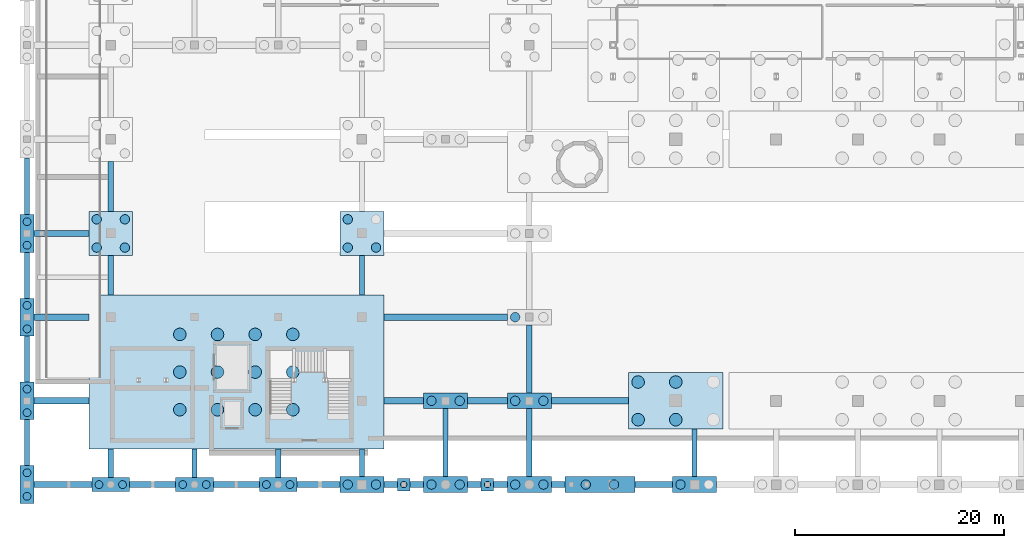
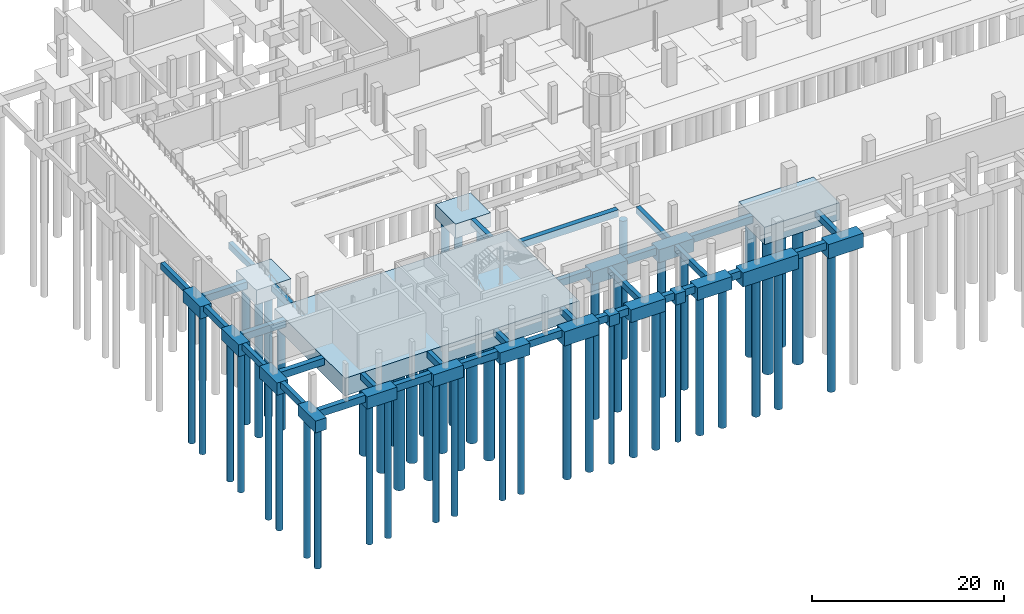
# One storey, part 1 of 32: 53 piles, 52 footings.
"""IFC4 building model written with IfcOpenShell, lengths in metres."""

from ifc_helpers import new_model, si_unit, derived_unit, direction, frame, origin, origin_2d, place, context, subcontext, project, spatial, rectangle, circle, extrude, material, material_profile, profile_set, type_object, element, save


model = new_model("IFC4")

# Units and contexts
model_context = context("Model", 3, precision=1e-05, world=origin(), true_north=direction((0.0, 1.0)))
body_context = subcontext(model_context, "Body", "Model", "MODEL_VIEW")
ifc_project = project(units=[si_unit("LENGTHUNIT", "METRE"), si_unit("AREAUNIT", "SQUARE_METRE"), si_unit("VOLUMEUNIT", "CUBIC_METRE"), si_unit("PLANEANGLEUNIT", "RADIAN"), si_unit("MASSUNIT", "GRAM", prefix="KILO"), derived_unit("THERMALTRANSMITTANCEUNIT", [(si_unit("POWERUNIT", "WATT"), 1), (si_unit("LENGTHUNIT", "METRE"), -2), (si_unit("THERMODYNAMICTEMPERATUREUNIT", "KELVIN"), -1)])], contexts=[model_context])

# Site, building, storey
site_placement = place(None, origin())
site = spatial("IfcSite", under=ifc_project, at=site_placement, CompositionType="ELEMENT")
building_placement = place(site_placement, origin())
building = spatial("IfcBuilding", under=site, at=building_placement, Name="Nallur Shell Playhouse", CompositionType="ELEMENT")
storey_placement = place(building_placement, frame((0.0, 0.0, -4.800048828125)))
storey = spatial("IfcBuildingStorey", under=building, at=storey_placement, Name="B1", CompositionType="ELEMENT", Elevation=-4.800048828125)

# Footings
ifc_material = material(Name="Concrete M35", Category="concrete")
footing_type_1 = type_object("IfcFootingType", Name="FT-PC-120x120x135", PredefinedType="PILE_CAP", material=ifc_material)
footing_1_placement = place(storey_placement, frame((44.0, 8.0, -1.35009765625), z_axis=(0.0, 0.0, 1.0), x_axis=(1.0, 0.0, 0.0)))
element("IfcFooting", 1, at=footing_1_placement, inside=storey, type_object=footing_type_1, Name="Pile cap PC-090", PredefinedType="PILE_CAP", context=body_context, shape_type="SweptSolid", body=[
    extrude(rectangle(XDim=1.199951171875, YDim=1.199951171875, at=origin_2d()), origin(), (0.0, 0.0, 1.0), 1.35009765625),
])
footing_type_2 = type_object("IfcFootingType", Name="FT-PC-120x120x140", PredefinedType="PILE_CAP", material=ifc_material)
footing_2_placement = place(storey_placement, frame((52.0, 8.0, -1.39990234375), z_axis=(0.0, 0.0, 1.0), x_axis=(1.0, 0.0, 0.0)))
element("IfcFooting", 2, at=footing_2_placement, inside=storey, type_object=footing_type_2, Name="Pile cap PC-091", PredefinedType="PILE_CAP", context=body_context, shape_type="SweptSolid", body=[
    extrude(rectangle(XDim=1.199951171875, YDim=1.199951171875, at=origin_2d()), origin(), (0.0, 0.0, 1.0), 1.39990234375),
])
footing_type_3 = type_object("IfcFootingType", Name="FT-PC-135x360x150", PredefinedType="PILE_CAP", material=ifc_material)
for number, where, z_axis, x_axis, name in (
    (3, (8.0, 8.0, -1.5), (0.0, 0.0, 1.0), (1.0, 0.0, 0.0), "Pile cap PC-001"),
    (4, (8.0, 24.0, -1.5), (0.0, 0.0, 1.0), (1.0, 0.0, 0.0), "Pile cap PC-003"),
):
    element("IfcFooting", number, at=place(storey_placement, frame(where, z_axis=z_axis, x_axis=x_axis)), inside=storey, type_object=footing_type_3, Name=name, PredefinedType="PILE_CAP", context=body_context, shape_type="SweptSolid", body=[
        extrude(rectangle(XDim=1.35009765625, YDim=3.60009765625, at=origin_2d()), origin(), (0.0, 0.0, 1.0), 1.5),
    ])
footing_type_4 = type_object("IfcFootingType", Name="FT-PC-135x360x155", PredefinedType="PILE_CAP", material=ifc_material)
for number, where, z_axis, x_axis, name in (
    (5, (8.0, 16.0, -1.5498046875), (0.0, 0.0, 1.0), (1.0, 0.0, 0.0), "Pile cap PC-002"),
    (6, (8.0, 32.0, -1.5498046875), (0.0, 0.0, 1.0), (1.0, 0.0, 0.0), "Pile cap PC-004"),
):
    element("IfcFooting", number, at=place(storey_placement, frame(where, z_axis=z_axis, x_axis=x_axis)), inside=storey, type_object=footing_type_4, Name=name, PredefinedType="PILE_CAP", context=body_context, shape_type="SweptSolid", body=[
        extrude(rectangle(XDim=1.35009765625, YDim=3.60009765625, at=origin_2d()), origin(), (0.0, 0.0, 1.0), 1.550048828125),
    ])
footing_type_5 = type_object("IfcFootingType", Name="FT-PC-2820x1470x225", PredefinedType="PILE_CAP", material=ifc_material)
footing_3_placement = place(storey_placement, frame((28.0, 18.75, -2.25), z_axis=(0.0, 0.0, 1.0), x_axis=(1.0, 0.0, 0.0)))
element("IfcFooting", 7, at=footing_3_placement, inside=storey, type_object=footing_type_5, Name="Pile cap PC-011", PredefinedType="PILE_CAP", context=body_context, shape_type="SweptSolid", body=[
    extrude(rectangle(XDim=28.199951171875, YDim=14.699951171875, at=origin_2d()), origin(), (0.0, 0.0, 1.0), 2.25),
])
footing_type_6 = type_object("IfcFootingType", Name="FT-PC-360x135x150", PredefinedType="PILE_CAP", material=ifc_material)
footing_4_placement = place(storey_placement, frame((32.0, 8.0, -1.5), z_axis=(0.0, 0.0, 1.0), x_axis=(1.0, 0.0, 0.0)))
element("IfcFooting", 8, at=footing_4_placement, inside=storey, type_object=footing_type_6, Name="Pile cap PC-023", PredefinedType="PILE_CAP", context=body_context, shape_type="SweptSolid", body=[
    extrude(rectangle(XDim=3.60009765625, YDim=1.35009765625, at=origin_2d()), origin(), (0.0, 0.0, 1.0), 1.5),
])
footing_type_7 = type_object("IfcFootingType", Name="FT-PC-360x135x155", PredefinedType="PILE_CAP", material=ifc_material)
for number, where, z_axis, x_axis, name in (
    (9, (16.0, 8.0, -1.5498046875), (0.0, 0.0, 1.0), (1.0, 0.0, 0.0), "Pile cap PC-010"),
    (10, (24.0, 8.0, -1.5498046875), (0.0, 0.0, 1.0), (1.0, 0.0, 0.0), "Pile cap PC-018"),
):
    element("IfcFooting", number, at=place(storey_placement, frame(where, z_axis=z_axis, x_axis=x_axis)), inside=storey, type_object=footing_type_7, Name=name, PredefinedType="PILE_CAP", context=body_context, shape_type="SweptSolid", body=[
        extrude(rectangle(XDim=3.60009765625, YDim=1.35009765625, at=origin_2d()), origin(), (0.0, 0.0, 1.0), 1.550048828125),
    ])
footing_type_8 = type_object("IfcFootingType", Name="FT-PC-420x150x160", PredefinedType="PILE_CAP", material=ifc_material)
for number, where, z_axis, x_axis, name in (
    (11, (48.0, 8.0, -1.60009765625), (0.0, 0.0, 1.0), (1.0, 0.0, 0.0), "Pile cap PC-040"),
    (12, (56.0, 8.0, -1.60009765625), (0.0, 0.0, 1.0), (1.0, 0.0, 0.0), "Pile cap PC-048"),
):
    element("IfcFooting", number, at=place(storey_placement, frame(where, z_axis=z_axis, x_axis=x_axis)), inside=storey, type_object=footing_type_8, Name=name, PredefinedType="PILE_CAP", context=body_context, shape_type="SweptSolid", body=[
        extrude(rectangle(XDim=4.199951171875, YDim=1.5, at=origin_2d()), origin(), (0.0, 0.0, 1.0), 1.60009765625),
    ])
footing_type_9 = type_object("IfcFootingType", Name="FT-PC-420x150x165", PredefinedType="PILE_CAP", material=ifc_material)
for number, where, z_axis, x_axis, name in (
    (13, (48.0, 16.0, -1.64990234375), (0.0, 0.0, 1.0), (1.0, 0.0, 0.0), "Pile cap PC-041"),
    (14, (56.0, 16.0, -1.64990234375), (0.0, 0.0, 1.0), (1.0, 0.0, 0.0), "Pile cap PC-049"),
):
    element("IfcFooting", number, at=place(storey_placement, frame(where, z_axis=z_axis, x_axis=x_axis)), inside=storey, type_object=footing_type_9, Name=name, PredefinedType="PILE_CAP", context=body_context, shape_type="SweptSolid", body=[
        extrude(rectangle(XDim=4.199951171875, YDim=1.5, at=origin_2d()), origin(), (0.0, 0.0, 1.0), 1.64990234375),
    ])
footing_type_10 = type_object("IfcFootingType", Name="FT-PC-420x150x180", PredefinedType="PILE_CAP", material=ifc_material)
for number, where, z_axis, x_axis, name in (
    (15, (40.0, 8.0, -1.7998046875), (0.0, 0.0, 1.0), (1.0, 0.0, 0.0), "Pile cap PC-029"),
    (16, (71.800048828125, 8.0, -1.7998046875), (0.0, 0.0, 1.0), (1.0, 0.0, 0.0), "Pile cap PC-064"),
):
    element("IfcFooting", number, at=place(storey_placement, frame(where, z_axis=z_axis, x_axis=x_axis)), inside=storey, type_object=footing_type_10, Name=name, PredefinedType="PILE_CAP", context=body_context, shape_type="SweptSolid", body=[
        extrude(rectangle(XDim=4.199951171875, YDim=1.5, at=origin_2d()), origin(), (0.0, 0.0, 1.0), 1.800048828125),
    ])
footing_type_11 = type_object("IfcFootingType", Name="FT-PC-420x420x180", PredefinedType="PILE_CAP", material=ifc_material)
footing_5_placement = place(storey_placement, frame((40.0, 32.0, -1.7998046875), z_axis=(0.0, 0.0, 1.0), x_axis=(1.0, 0.0, 0.0)))
element("IfcFooting", 17, at=footing_5_placement, inside=storey, type_object=footing_type_11, Name="Pile cap PC-030", PredefinedType="PILE_CAP", context=body_context, shape_type="SweptSolid", body=[
    extrude(rectangle(XDim=4.199951171875, YDim=4.199951171875, at=origin_2d()), origin(), (0.0, 0.0, 1.0), 1.800048828125),
])
footing_type_12 = type_object("IfcFootingType", Name="FT-PC-420x420x185", PredefinedType="PILE_CAP", material=ifc_material)
footing_6_placement = place(storey_placement, frame((16.0, 32.0, -1.85009765625), z_axis=(0.0, 0.0, 1.0), x_axis=(1.0, 0.0, 0.0)))
element("IfcFooting", 18, at=footing_6_placement, inside=storey, type_object=footing_type_12, Name="Pile cap PC-012", PredefinedType="PILE_CAP", context=body_context, shape_type="SweptSolid", body=[
    extrude(rectangle(XDim=4.199951171875, YDim=4.199951171875, at=origin_2d()), origin(), (0.0, 0.0, 1.0), 1.85009765625),
])
footing_type_13 = type_object("IfcFootingType", Name="FT-PC-670x150x180", PredefinedType="PILE_CAP", material=ifc_material)
footing_7_placement = place(storey_placement, frame((62.75, 8.0, -1.7998046875), z_axis=(0.0, 0.0, 1.0), x_axis=(1.0, 0.0, 0.0)))
element("IfcFooting", 19, at=footing_7_placement, inside=storey, type_object=footing_type_13, Name="Pile cap PC-060", PredefinedType="PILE_CAP", context=body_context, shape_type="SweptSolid", body=[
    extrude(rectangle(XDim=6.699951171875, YDim=1.5, at=origin_2d()), origin(), (0.0, 0.0, 1.0), 1.800048828125),
])
footing_type_14 = type_object("IfcFootingType", Name="FT-PC-900x540x220", PredefinedType="PILE_CAP", material=ifc_material)
footing_8_placement = place(storey_placement, frame((70.0, 16.0, -2.19970703125), z_axis=(0.0, 0.0, 1.0), x_axis=(1.0, 0.0, 0.0)))
element("IfcFooting", 20, at=footing_8_placement, inside=storey, type_object=footing_type_14, Name="Pile cap PC-098", PredefinedType="PILE_CAP", context=body_context, shape_type="SweptSolid", body=[
    extrude(rectangle(XDim=9.0, YDim=5.39990234375, at=origin_2d()), origin(), (0.0, 0.0, 1.0), 2.199951171875),
])
ifc_material_profile_1 = material_profile(ifc_material, rectangle(XDim=0.5, YDim=0.800048828125, at=origin_2d()), Name="RC 500x800")
ifc_profile_set_1 = profile_set([ifc_material_profile_1], Name="Concrete M35")
footing_type_15 = type_object("IfcFootingType", Name="FT-TB-500x800", PredefinedType="FOOTING_BEAM", material=ifc_profile_set_1)
for number, where, z_axis, x_axis, name in (
    (21, (8.0, 9.800048828125, -0.39990234375), (0.0, 1.0, 0.0), (-1.0, 0.0, 0.0), "Ground tie beam TB-Y-082"),
    (22, (8.0, 17.800048828125, -0.39990234375), (0.0, 1.0, 0.0), (-1.0, 0.0, 0.0), "Ground tie beam TB-Y-083"),
    (23, (8.0, 25.800048828125, -0.39990234375), (0.0, 1.0, 0.0), (-1.0, 0.0, 0.0), "Ground tie beam TB-Y-084"),
):
    element("IfcFooting", number, at=place(storey_placement, frame(where, z_axis=z_axis, x_axis=x_axis)), inside=storey, type_object=footing_type_15, Name=name, PredefinedType="FOOTING_BEAM", context=body_context, shape_type="SweptSolid", body=[
        extrude(rectangle(XDim=0.5, YDim=0.800048828125, at=origin_2d()), origin(), (0.0, 0.0, 1.0), 4.39990234375),
    ])
footing_9_placement = place(storey_placement, frame((8.0, 33.800048828125, -0.39990234375), z_axis=(0.0, 1.0, 0.0), x_axis=(-1.0, 0.0, 0.0)))
element("IfcFooting", 24, at=footing_9_placement, inside=storey, type_object=footing_type_15, Name="Ground tie beam TB-Y-085", PredefinedType="FOOTING_BEAM", context=body_context, shape_type="SweptSolid", body=[
    extrude(rectangle(XDim=0.5, YDim=0.800048828125, at=origin_2d()), origin(), (0.0, 0.0, 1.0), 5.39990234375),
])
footing_10_placement = place(storey_placement, frame((16.0, 8.675048828125, -0.39990234375), z_axis=(0.0, 1.0, 0.0), x_axis=(-1.0, 0.0, 0.0)))
element("IfcFooting", 25, at=footing_10_placement, inside=storey, type_object=footing_type_15, Name="Ground tie beam TB-Y-090", PredefinedType="FOOTING_BEAM", context=body_context, shape_type="SweptSolid", body=[
    extrude(rectangle(XDim=0.5, YDim=0.800048828125, at=origin_2d()), origin(), (0.0, 0.0, 1.0), 2.724853515625),
])
footing_11_placement = place(storey_placement, frame((16.0, 26.10009765625, -0.39990234375), z_axis=(0.0, 1.0, 0.0), x_axis=(-1.0, 0.0, 0.0)))
element("IfcFooting", 26, at=footing_11_placement, inside=storey, type_object=footing_type_15, Name="Ground tie beam TB-Y-091", PredefinedType="FOOTING_BEAM", context=body_context, shape_type="SweptSolid", body=[
    extrude(rectangle(XDim=0.5, YDim=0.800048828125, at=origin_2d()), origin(), (0.0, 0.0, 1.0), 3.7998046875),
])
footing_12_placement = place(storey_placement, frame((16.0, 34.10009765625, -0.39990234375), z_axis=(0.0, 1.0, 0.0), x_axis=(-1.0, 0.0, 0.0)))
element("IfcFooting", 27, at=footing_12_placement, inside=storey, type_object=footing_type_15, Name="Ground tie beam TB-Y-092", PredefinedType="FOOTING_BEAM", context=body_context, shape_type="SweptSolid", body=[
    extrude(rectangle(XDim=0.5, YDim=0.800048828125, at=origin_2d()), origin(), (0.0, 0.0, 1.0), 4.7998046875),
])
for number, where, z_axis, x_axis, name in (
    (28, (24.0, 8.675048828125, -0.39990234375), (0.0, 1.0, 0.0), (-1.0, 0.0, 0.0), "Ground tie beam TB-Y-097"),
    (29, (32.0, 8.675048828125, -0.39990234375), (0.0, 1.0, 0.0), (-1.0, 0.0, 0.0), "Ground tie beam TB-Y-101"),
):
    element("IfcFooting", number, at=place(storey_placement, frame(where, z_axis=z_axis, x_axis=x_axis)), inside=storey, type_object=footing_type_15, Name=name, PredefinedType="FOOTING_BEAM", context=body_context, shape_type="SweptSolid", body=[
        extrude(rectangle(XDim=0.5, YDim=0.800048828125, at=origin_2d()), origin(), (0.0, 0.0, 1.0), 2.724853515625),
    ])
footing_13_placement = place(storey_placement, frame((40.0, 8.75, -0.39990234375), z_axis=(0.0, 1.0, 0.0), x_axis=(-1.0, 0.0, 0.0)))
element("IfcFooting", 30, at=footing_13_placement, inside=storey, type_object=footing_type_15, Name="Ground tie beam TB-Y-107", PredefinedType="FOOTING_BEAM", context=body_context, shape_type="SweptSolid", body=[
    extrude(rectangle(XDim=0.5, YDim=0.800048828125, at=origin_2d()), origin(), (0.0, 0.0, 1.0), 2.64990234375),
])
footing_14_placement = place(storey_placement, frame((40.0, 26.10009765625, -0.39990234375), z_axis=(0.0, 1.0, 0.0), x_axis=(-1.0, 0.0, 0.0)))
element("IfcFooting", 31, at=footing_14_placement, inside=storey, type_object=footing_type_15, Name="Ground tie beam TB-Y-108", PredefinedType="FOOTING_BEAM", context=body_context, shape_type="SweptSolid", body=[
    extrude(rectangle(XDim=0.5, YDim=0.800048828125, at=origin_2d()), origin(), (0.0, 0.0, 1.0), 3.7998046875),
])
for number, where, z_axis, x_axis, name in (
    (32, (48.0, 8.75, -0.39990234375), (0.0, 1.0, 0.0), (-1.0, 0.0, 0.0), "Ground tie beam TB-Y-119"),
    (33, (56.0, 8.75, -0.39990234375), (0.0, 1.0, 0.0), (-1.0, 0.0, 0.0), "Ground tie beam TB-Y-125"),
    (34, (56.0, 16.75, -0.39990234375), (0.0, 1.0, 0.0), (-1.0, 0.0, 0.0), "Ground tie beam TB-Y-126"),
):
    element("IfcFooting", number, at=place(storey_placement, frame(where, z_axis=z_axis, x_axis=x_axis)), inside=storey, type_object=footing_type_15, Name=name, PredefinedType="FOOTING_BEAM", context=body_context, shape_type="SweptSolid", body=[
        extrude(rectangle(XDim=0.5, YDim=0.800048828125, at=origin_2d()), origin(), (0.0, 0.0, 1.0), 6.5),
    ])
footing_15_placement = place(storey_placement, frame((71.800048828125, 8.75, -0.39990234375), z_axis=(0.0, 1.0, 0.0), x_axis=(-1.0, 0.0, 0.0)))
element("IfcFooting", 35, at=footing_15_placement, inside=storey, type_object=footing_type_15, Name="Ground tie beam TB-Y-140", PredefinedType="FOOTING_BEAM", context=body_context, shape_type="SweptSolid", body=[
    extrude(rectangle(XDim=0.5, YDim=0.800048828125, at=origin_2d()), origin(), (0.0, 0.0, 1.0), 4.550048828125),
])
ifc_material_profile_2 = material_profile(ifc_material, rectangle(XDim=0.60009765625, YDim=0.89990234375, at=origin_2d()), Name="RC 600x900")
ifc_profile_set_2 = profile_set([ifc_material_profile_2], Name="Concrete M35")
footing_type_16 = type_object("IfcFootingType", Name="FT-TB-600x900", PredefinedType="FOOTING_BEAM", material=ifc_profile_set_2)
footing_16_placement = place(storey_placement, frame((8.675048828125, 8.0, -0.449951171875), z_axis=(1.0, 0.0, 0.0), x_axis=(0.0, 1.0, 0.0)))
element("IfcFooting", 36, at=footing_16_placement, inside=storey, type_object=footing_type_16, Name="Ground tie beam TB-X-001", PredefinedType="FOOTING_BEAM", context=body_context, shape_type="SweptSolid", body=[
    extrude(rectangle(XDim=0.60009765625, YDim=0.89990234375, at=origin_2d()), origin(), (0.0, 0.0, 1.0), 5.52490234375),
])
for number, where, z_axis, x_axis, name in (
    (37, (17.800048828125, 8.0, -0.449951171875), (1.0, 0.0, 0.0), (0.0, 1.0, 0.0), "Ground tie beam TB-X-002"),
    (38, (25.800048828125, 8.0, -0.449951171875), (1.0, 0.0, 0.0), (0.0, 1.0, 0.0), "Ground tie beam TB-X-003"),
):
    element("IfcFooting", number, at=place(storey_placement, frame(where, z_axis=z_axis, x_axis=x_axis)), inside=storey, type_object=footing_type_16, Name=name, PredefinedType="FOOTING_BEAM", context=body_context, shape_type="SweptSolid", body=[
        extrude(rectangle(XDim=0.60009765625, YDim=0.89990234375, at=origin_2d()), origin(), (0.0, 0.0, 1.0), 4.39990234375),
    ])
footing_17_placement = place(storey_placement, frame((33.800048828125, 8.0, -0.449951171875), z_axis=(1.0, 0.0, 0.0), x_axis=(0.0, 1.0, 0.0)))
element("IfcFooting", 39, at=footing_17_placement, inside=storey, type_object=footing_type_16, Name="Ground tie beam TB-X-004", PredefinedType="FOOTING_BEAM", context=body_context, shape_type="SweptSolid", body=[
    extrude(rectangle(XDim=0.60009765625, YDim=0.89990234375, at=origin_2d()), origin(), (0.0, 0.0, 1.0), 4.099853515625),
])
for number, where, z_axis, x_axis, name in (
    (40, (42.10009765625, 8.0, -0.449951171875), (1.0, 0.0, 0.0), (0.0, 1.0, 0.0), "Ground tie beam TB-X-005"),
    (41, (44.60009765625, 8.0, -0.449951171875), (1.0, 0.0, 0.0), (0.0, 1.0, 0.0), "Ground tie beam TB-X-006"),
    (42, (50.10009765625, 8.0, -0.449951171875), (1.0, 0.0, 0.0), (0.0, 1.0, 0.0), "Ground tie beam TB-X-007"),
    (43, (52.60009765625, 8.0, -0.449951171875), (1.0, 0.0, 0.0), (0.0, 1.0, 0.0), "Ground tie beam TB-X-008"),
    (44, (58.10009765625, 8.0, -0.449951171875), (1.0, 0.0, 0.0), (0.0, 1.0, 0.0), "Ground tie beam TB-X-009"),
):
    element("IfcFooting", number, at=place(storey_placement, frame(where, z_axis=z_axis, x_axis=x_axis)), inside=storey, type_object=footing_type_16, Name=name, PredefinedType="FOOTING_BEAM", context=body_context, shape_type="SweptSolid", body=[
        extrude(rectangle(XDim=0.60009765625, YDim=0.89990234375, at=origin_2d()), origin(), (0.0, 0.0, 1.0), 1.2998046875),
    ])
footing_18_placement = place(storey_placement, frame((66.10009765625, 8.0, -0.449951171875), z_axis=(1.0, 0.0, 0.0), x_axis=(0.0, 1.0, 0.0)))
element("IfcFooting", 45, at=footing_18_placement, inside=storey, type_object=footing_type_16, Name="Ground tie beam TB-X-010", PredefinedType="FOOTING_BEAM", context=body_context, shape_type="SweptSolid", body=[
    extrude(rectangle(XDim=0.60009765625, YDim=0.89990234375, at=origin_2d()), origin(), (0.0, 0.0, 1.0), 3.599853515625),
])
footing_19_placement = place(storey_placement, frame((8.675048828125, 16.0, -0.449951171875), z_axis=(1.0, 0.0, 0.0), x_axis=(0.0, 1.0, 0.0)))
element("IfcFooting", 46, at=footing_19_placement, inside=storey, type_object=footing_type_16, Name="Ground tie beam TB-X-016", PredefinedType="FOOTING_BEAM", context=body_context, shape_type="SweptSolid", body=[
    extrude(rectangle(XDim=0.60009765625, YDim=0.89990234375, at=origin_2d()), origin(), (0.0, 0.0, 1.0), 5.224853515625),
])
for number, where, z_axis, x_axis, name in (
    (47, (42.10009765625, 16.0, -0.449951171875), (1.0, 0.0, 0.0), (0.0, 1.0, 0.0), "Ground tie beam TB-X-017"),
    (48, (50.10009765625, 16.0, -0.449951171875), (1.0, 0.0, 0.0), (0.0, 1.0, 0.0), "Ground tie beam TB-X-018"),
):
    element("IfcFooting", number, at=place(storey_placement, frame(where, z_axis=z_axis, x_axis=x_axis)), inside=storey, type_object=footing_type_16, Name=name, PredefinedType="FOOTING_BEAM", context=body_context, shape_type="SweptSolid", body=[
        extrude(rectangle(XDim=0.60009765625, YDim=0.89990234375, at=origin_2d()), origin(), (0.0, 0.0, 1.0), 3.7998046875),
    ])
footing_20_placement = place(storey_placement, frame((58.10009765625, 16.0, -0.449951171875), z_axis=(1.0, 0.0, 0.0), x_axis=(0.0, 1.0, 0.0)))
element("IfcFooting", 49, at=footing_20_placement, inside=storey, type_object=footing_type_16, Name="Ground tie beam TB-X-019", PredefinedType="FOOTING_BEAM", context=body_context, shape_type="SweptSolid", body=[
    extrude(rectangle(XDim=0.60009765625, YDim=0.89990234375, at=origin_2d()), origin(), (0.0, 0.0, 1.0), 7.39990234375),
])
footing_21_placement = place(storey_placement, frame((8.675048828125, 24.0, -0.449951171875), z_axis=(1.0, 0.0, 0.0), x_axis=(0.0, 1.0, 0.0)))
element("IfcFooting", 50, at=footing_21_placement, inside=storey, type_object=footing_type_16, Name="Ground tie beam TB-X-020", PredefinedType="FOOTING_BEAM", context=body_context, shape_type="SweptSolid", body=[
    extrude(rectangle(XDim=0.60009765625, YDim=0.89990234375, at=origin_2d()), origin(), (0.0, 0.0, 1.0), 5.224853515625),
])
footing_22_placement = place(storey_placement, frame((42.10009765625, 24.0, -0.449951171875), z_axis=(1.0, 0.0, 0.0), x_axis=(0.0, 1.0, 0.0)))
element("IfcFooting", 51, at=footing_22_placement, inside=storey, type_object=footing_type_16, Name="Ground tie beam TB-X-021", PredefinedType="FOOTING_BEAM", context=body_context, shape_type="SweptSolid", body=[
    extrude(rectangle(XDim=0.60009765625, YDim=0.89990234375, at=origin_2d()), origin(), (0.0, 0.0, 1.0), 11.7998046875),
])
footing_23_placement = place(storey_placement, frame((8.675048828125, 32.0, -0.449951171875), z_axis=(1.0, 0.0, 0.0), x_axis=(0.0, 1.0, 0.0)))
element("IfcFooting", 52, at=footing_23_placement, inside=storey, type_object=footing_type_16, Name="Ground tie beam TB-X-025", PredefinedType="FOOTING_BEAM", context=body_context, shape_type="SweptSolid", body=[
    extrude(rectangle(XDim=0.60009765625, YDim=0.89990234375, at=origin_2d()), origin(), (0.0, 0.0, 1.0), 5.224853515625),
])

# Piles
ifc_material_profile_3 = material_profile(ifc_material, circle(Radius=0.60009765625, at=origin_2d()), Name="BORED PILE D1200")
ifc_profile_set_3 = profile_set([ifc_material_profile_3], Name="Concrete M35")
pile_type_1 = type_object("IfcPileType", Name="PL-D1200", PredefinedType="BORED", material=ifc_profile_set_3)
for number, where, z_axis, x_axis, name in (
    (53, (22.60009765625, 15.14990234375, -2.14990234375), (0.0, 0.0, -1.0), (1.0, 0.0, 0.0), "Bored pile BP-021"),
    (54, (22.60009765625, 18.75, -2.14990234375), (0.0, 0.0, -1.0), (1.0, 0.0, 0.0), "Bored pile BP-022"),
    (55, (22.60009765625, 22.35009765625, -2.14990234375), (0.0, 0.0, -1.0), (1.0, 0.0, 0.0), "Bored pile BP-023"),
    (56, (26.199951171875, 15.14990234375, -2.14990234375), (0.0, 0.0, -1.0), (1.0, 0.0, 0.0), "Bored pile BP-024"),
    (57, (26.199951171875, 18.75, -2.14990234375), (0.0, 0.0, -1.0), (1.0, 0.0, 0.0), "Bored pile BP-025"),
    (58, (26.199951171875, 22.35009765625, -2.14990234375), (0.0, 0.0, -1.0), (1.0, 0.0, 0.0), "Bored pile BP-026"),
    (59, (29.800048828125, 15.14990234375, -2.14990234375), (0.0, 0.0, -1.0), (1.0, 0.0, 0.0), "Bored pile BP-027"),
    (60, (29.800048828125, 18.75, -2.14990234375), (0.0, 0.0, -1.0), (1.0, 0.0, 0.0), "Bored pile BP-028"),
    (61, (29.800048828125, 22.35009765625, -2.14990234375), (0.0, 0.0, -1.0), (1.0, 0.0, 0.0), "Bored pile BP-029"),
    (62, (33.39990234375, 15.14990234375, -2.14990234375), (0.0, 0.0, -1.0), (1.0, 0.0, 0.0), "Bored pile BP-030"),
    (63, (33.39990234375, 18.75, -2.14990234375), (0.0, 0.0, -1.0), (1.0, 0.0, 0.0), "Bored pile BP-031"),
    (64, (33.39990234375, 22.35009765625, -2.14990234375), (0.0, 0.0, -1.0), (1.0, 0.0, 0.0), "Bored pile BP-032"),
):
    element("IfcPile", number, at=place(storey_placement, frame(where, z_axis=z_axis, x_axis=x_axis)), inside=storey, type_object=pile_type_1, Name=name, PredefinedType="BORED", context=body_context, shape_type="SweptSolid", body=[
        extrude(circle(Radius=0.60009765625, at=origin_2d()), origin(), (0.0, 0.0, 1.0), 17.050048828125),
    ])
for number, where, z_axis, x_axis, name in (
    (65, (66.39990234375, 14.199951171875, -2.099853515625), (0.0, 0.0, -1.0), (1.0, 0.0, 0.0), "Bored pile BP-300"),
    (66, (66.39990234375, 17.800048828125, -2.099853515625), (0.0, 0.0, -1.0), (1.0, 0.0, 0.0), "Bored pile BP-301"),
    (67, (70.0, 14.199951171875, -2.099853515625), (0.0, 0.0, -1.0), (1.0, 0.0, 0.0), "Bored pile BP-302"),
    (68, (70.0, 17.800048828125, -2.099853515625), (0.0, 0.0, -1.0), (1.0, 0.0, 0.0), "Bored pile BP-303"),
):
    element("IfcPile", number, at=place(storey_placement, frame(where, z_axis=z_axis, x_axis=x_axis)), inside=storey, type_object=pile_type_1, Name=name, PredefinedType="BORED", context=body_context, shape_type="SweptSolid", body=[
        extrude(circle(Radius=0.60009765625, at=origin_2d()), origin(), (0.0, 0.0, 1.0), 17.10009765625),
    ])
ifc_material_profile_4 = material_profile(ifc_material, circle(Radius=0.300048828125, at=origin_2d()), Name="BORED PILE D600")
ifc_profile_set_4 = profile_set([ifc_material_profile_4], Name="Concrete M35")
pile_type_2 = type_object("IfcPileType", Name="PL-D600", PredefinedType="BORED", material=ifc_profile_set_4)
pile_1_placement = place(storey_placement, frame((44.0, 8.0, -1.25), z_axis=(0.0, 0.0, -1.0), x_axis=(1.0, 0.0, 0.0)))
element("IfcPile", 69, at=pile_1_placement, inside=storey, type_object=pile_type_2, Name="Bored pile BP-278", PredefinedType="BORED", context=body_context, shape_type="SweptSolid", body=[
    extrude(circle(Radius=0.300048828125, at=origin_2d()), origin(), (0.0, 0.0, 1.0), 17.949951171875),
])
pile_2_placement = place(storey_placement, frame((52.0, 8.0, -1.300048828125), z_axis=(0.0, 0.0, -1.0), x_axis=(1.0, 0.0, 0.0)))
element("IfcPile", 70, at=pile_2_placement, inside=storey, type_object=pile_type_2, Name="Bored pile BP-279", PredefinedType="BORED", context=body_context, shape_type="SweptSolid", body=[
    extrude(circle(Radius=0.300048828125, at=origin_2d()), origin(), (0.0, 0.0, 1.0), 17.89990234375),
])
ifc_material_profile_5 = material_profile(ifc_material, circle(Radius=0.375, at=origin_2d()), Name="BORED PILE D750")
ifc_profile_set_5 = profile_set([ifc_material_profile_5], Name="Concrete M35")
pile_type_3 = type_object("IfcPileType", Name="PL-D750", PredefinedType="BORED", material=ifc_profile_set_5)
for number, where, z_axis, x_axis, name in (
    (71, (8.0, 6.875, -1.39990234375), (0.0, 0.0, -1.0), (1.0, 0.0, 0.0), "Bored pile BP-001"),
    (72, (8.0, 9.125, -1.39990234375), (0.0, 0.0, -1.0), (1.0, 0.0, 0.0), "Bored pile BP-002"),
):
    element("IfcPile", number, at=place(storey_placement, frame(where, z_axis=z_axis, x_axis=x_axis)), inside=storey, type_object=pile_type_3, Name=name, PredefinedType="BORED", context=body_context, shape_type="SweptSolid", body=[
        extrude(circle(Radius=0.375, at=origin_2d()), origin(), (0.0, 0.0, 1.0), 17.800048828125),
    ])
for number, where, z_axis, x_axis, name in (
    (73, (8.0, 14.875, -1.449951171875), (0.0, 0.0, -1.0), (1.0, 0.0, 0.0), "Bored pile BP-003"),
    (74, (8.0, 17.125, -1.449951171875), (0.0, 0.0, -1.0), (1.0, 0.0, 0.0), "Bored pile BP-004"),
):
    element("IfcPile", number, at=place(storey_placement, frame(where, z_axis=z_axis, x_axis=x_axis)), inside=storey, type_object=pile_type_3, Name=name, PredefinedType="BORED", context=body_context, shape_type="SweptSolid", body=[
        extrude(circle(Radius=0.375, at=origin_2d()), origin(), (0.0, 0.0, 1.0), 17.75),
    ])
for number, where, z_axis, x_axis, name in (
    (75, (8.0, 22.875, -1.39990234375), (0.0, 0.0, -1.0), (1.0, 0.0, 0.0), "Bored pile BP-005"),
    (76, (8.0, 25.125, -1.39990234375), (0.0, 0.0, -1.0), (1.0, 0.0, 0.0), "Bored pile BP-006"),
):
    element("IfcPile", number, at=place(storey_placement, frame(where, z_axis=z_axis, x_axis=x_axis)), inside=storey, type_object=pile_type_3, Name=name, PredefinedType="BORED", context=body_context, shape_type="SweptSolid", body=[
        extrude(circle(Radius=0.375, at=origin_2d()), origin(), (0.0, 0.0, 1.0), 17.800048828125),
    ])
for number, where, z_axis, x_axis, name in (
    (77, (8.0, 30.875, -1.449951171875), (0.0, 0.0, -1.0), (1.0, 0.0, 0.0), "Bored pile BP-007"),
    (78, (8.0, 33.125, -1.449951171875), (0.0, 0.0, -1.0), (1.0, 0.0, 0.0), "Bored pile BP-008"),
    (79, (14.875, 8.0, -1.449951171875), (0.0, 0.0, -1.0), (1.0, 0.0, 0.0), "Bored pile BP-019"),
    (80, (17.125, 8.0, -1.449951171875), (0.0, 0.0, -1.0), (1.0, 0.0, 0.0), "Bored pile BP-020"),
    (81, (22.875, 8.0, -1.449951171875), (0.0, 0.0, -1.0), (1.0, 0.0, 0.0), "Bored pile BP-057"),
    (82, (25.125, 8.0, -1.449951171875), (0.0, 0.0, -1.0), (1.0, 0.0, 0.0), "Bored pile BP-058"),
):
    element("IfcPile", number, at=place(storey_placement, frame(where, z_axis=z_axis, x_axis=x_axis)), inside=storey, type_object=pile_type_3, Name=name, PredefinedType="BORED", context=body_context, shape_type="SweptSolid", body=[
        extrude(circle(Radius=0.375, at=origin_2d()), origin(), (0.0, 0.0, 1.0), 17.75),
    ])
for number, where, z_axis, x_axis, name in (
    (83, (30.875, 8.0, -1.39990234375), (0.0, 0.0, -1.0), (1.0, 0.0, 0.0), "Bored pile BP-077"),
    (84, (33.125, 8.0, -1.39990234375), (0.0, 0.0, -1.0), (1.0, 0.0, 0.0), "Bored pile BP-078"),
):
    element("IfcPile", number, at=place(storey_placement, frame(where, z_axis=z_axis, x_axis=x_axis)), inside=storey, type_object=pile_type_3, Name=name, PredefinedType="BORED", context=body_context, shape_type="SweptSolid", body=[
        extrude(circle(Radius=0.375, at=origin_2d()), origin(), (0.0, 0.0, 1.0), 17.800048828125),
    ])
ifc_material_profile_6 = material_profile(ifc_material, circle(Radius=0.449951171875, at=origin_2d()), Name="BORED PILE D900")
ifc_profile_set_6 = profile_set([ifc_material_profile_6], Name="Concrete M35")
pile_type_4 = type_object("IfcPileType", Name="PL-D900", PredefinedType="BORED", material=ifc_profile_set_6)
for number, where, z_axis, x_axis, name in (
    (85, (14.64990234375, 30.64990234375, -1.75), (0.0, 0.0, -1.0), (1.0, 0.0, 0.0), "Bored pile BP-033"),
    (86, (14.64990234375, 33.35009765625, -1.75), (0.0, 0.0, -1.0), (1.0, 0.0, 0.0), "Bored pile BP-034"),
    (87, (17.35009765625, 30.64990234375, -1.75), (0.0, 0.0, -1.0), (1.0, 0.0, 0.0), "Bored pile BP-035"),
    (88, (17.35009765625, 33.35009765625, -1.75), (0.0, 0.0, -1.0), (1.0, 0.0, 0.0), "Bored pile BP-036"),
):
    element("IfcPile", number, at=place(storey_placement, frame(where, z_axis=z_axis, x_axis=x_axis)), inside=storey, type_object=pile_type_4, Name=name, PredefinedType="BORED", context=body_context, shape_type="SweptSolid", body=[
        extrude(circle(Radius=0.449951171875, at=origin_2d()), origin(), (0.0, 0.0, 1.0), 17.449951171875),
    ])
for number, where, z_axis, x_axis, name in (
    (89, (38.64990234375, 8.0, -1.699951171875), (0.0, 0.0, -1.0), (1.0, 0.0, 0.0), "Bored pile BP-087"),
    (90, (41.35009765625, 8.0, -1.699951171875), (0.0, 0.0, -1.0), (1.0, 0.0, 0.0), "Bored pile BP-088"),
    (91, (38.64990234375, 30.64990234375, -1.699951171875), (0.0, 0.0, -1.0), (1.0, 0.0, 0.0), "Bored pile BP-089"),
    (92, (38.64990234375, 33.35009765625, -1.699951171875), (0.0, 0.0, -1.0), (1.0, 0.0, 0.0), "Bored pile BP-090"),
    (93, (41.35009765625, 30.64990234375, -1.699951171875), (0.0, 0.0, -1.0), (1.0, 0.0, 0.0), "Bored pile BP-091"),
):
    element("IfcPile", number, at=place(storey_placement, frame(where, z_axis=z_axis, x_axis=x_axis)), inside=storey, type_object=pile_type_4, Name=name, PredefinedType="BORED", context=body_context, shape_type="SweptSolid", body=[
        extrude(circle(Radius=0.449951171875, at=origin_2d()), origin(), (0.0, 0.0, 1.0), 17.5),
    ])
for number, where, z_axis, x_axis, name in (
    (94, (46.64990234375, 8.0, -1.5), (0.0, 0.0, -1.0), (1.0, 0.0, 0.0), "Bored pile BP-125"),
    (95, (49.35009765625, 8.0, -1.5), (0.0, 0.0, -1.0), (1.0, 0.0, 0.0), "Bored pile BP-126"),
):
    element("IfcPile", number, at=place(storey_placement, frame(where, z_axis=z_axis, x_axis=x_axis)), inside=storey, type_object=pile_type_4, Name=name, PredefinedType="BORED", context=body_context, shape_type="SweptSolid", body=[
        extrude(circle(Radius=0.449951171875, at=origin_2d()), origin(), (0.0, 0.0, 1.0), 17.699951171875),
    ])
for number, where, z_axis, x_axis, name in (
    (96, (46.64990234375, 16.0, -1.550048828125), (0.0, 0.0, -1.0), (1.0, 0.0, 0.0), "Bored pile BP-127"),
    (97, (49.35009765625, 16.0, -1.550048828125), (0.0, 0.0, -1.0), (1.0, 0.0, 0.0), "Bored pile BP-128"),
):
    element("IfcPile", number, at=place(storey_placement, frame(where, z_axis=z_axis, x_axis=x_axis)), inside=storey, type_object=pile_type_4, Name=name, PredefinedType="BORED", context=body_context, shape_type="SweptSolid", body=[
        extrude(circle(Radius=0.449951171875, at=origin_2d()), origin(), (0.0, 0.0, 1.0), 17.64990234375),
    ])
for number, where, z_axis, x_axis, name in (
    (98, (54.64990234375, 8.0, -1.5), (0.0, 0.0, -1.0), (1.0, 0.0, 0.0), "Bored pile BP-137"),
    (99, (57.35009765625, 8.0, -1.5), (0.0, 0.0, -1.0), (1.0, 0.0, 0.0), "Bored pile BP-138"),
):
    element("IfcPile", number, at=place(storey_placement, frame(where, z_axis=z_axis, x_axis=x_axis)), inside=storey, type_object=pile_type_4, Name=name, PredefinedType="BORED", context=body_context, shape_type="SweptSolid", body=[
        extrude(circle(Radius=0.449951171875, at=origin_2d()), origin(), (0.0, 0.0, 1.0), 17.699951171875),
    ])
for number, where, z_axis, x_axis, name in (
    (100, (54.64990234375, 16.0, -1.550048828125), (0.0, 0.0, -1.0), (1.0, 0.0, 0.0), "Bored pile BP-139"),
    (101, (57.35009765625, 16.0, -1.550048828125), (0.0, 0.0, -1.0), (1.0, 0.0, 0.0), "Bored pile BP-140"),
):
    element("IfcPile", number, at=place(storey_placement, frame(where, z_axis=z_axis, x_axis=x_axis)), inside=storey, type_object=pile_type_4, Name=name, PredefinedType="BORED", context=body_context, shape_type="SweptSolid", body=[
        extrude(circle(Radius=0.449951171875, at=origin_2d()), origin(), (0.0, 0.0, 1.0), 17.64990234375),
    ])
pile_3_placement = place(storey_placement, frame((54.64990234375, 24.0, -1.599853515625), z_axis=(0.0, 0.0, -1.0), x_axis=(1.0, 0.0, 0.0)))
element("IfcPile", 102, at=pile_3_placement, inside=storey, type_object=pile_type_4, Name="Bored pile BP-141", PredefinedType="BORED", context=body_context, shape_type="SweptSolid", body=[
    extrude(circle(Radius=0.449951171875, at=origin_2d()), origin(), (0.0, 0.0, 1.0), 17.60009765625),
])
for number, where, z_axis, x_axis, name in (
    (103, (61.39990234375, 8.0, -1.699951171875), (0.0, 0.0, -1.0), (1.0, 0.0, 0.0), "Bored pile BP-167"),
    (104, (64.10009765625, 8.0, -1.699951171875), (0.0, 0.0, -1.0), (1.0, 0.0, 0.0), "Bored pile BP-168"),
    (105, (70.449951171875, 8.0, -1.699951171875), (0.0, 0.0, -1.0), (1.0, 0.0, 0.0), "Bored pile BP-181"),
):
    element("IfcPile", number, at=place(storey_placement, frame(where, z_axis=z_axis, x_axis=x_axis)), inside=storey, type_object=pile_type_4, Name=name, PredefinedType="BORED", context=body_context, shape_type="SweptSolid", body=[
        extrude(circle(Radius=0.449951171875, at=origin_2d()), origin(), (0.0, 0.0, 1.0), 17.5),
    ])

save(model, "model.ifc")
